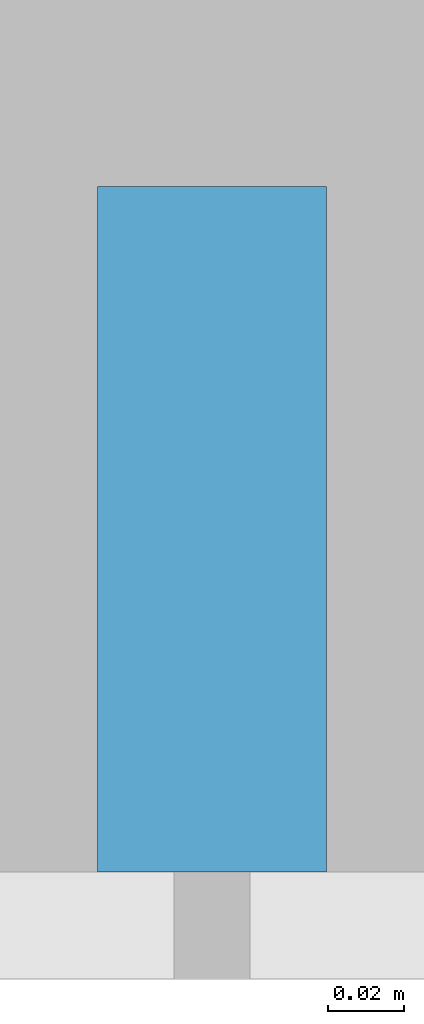
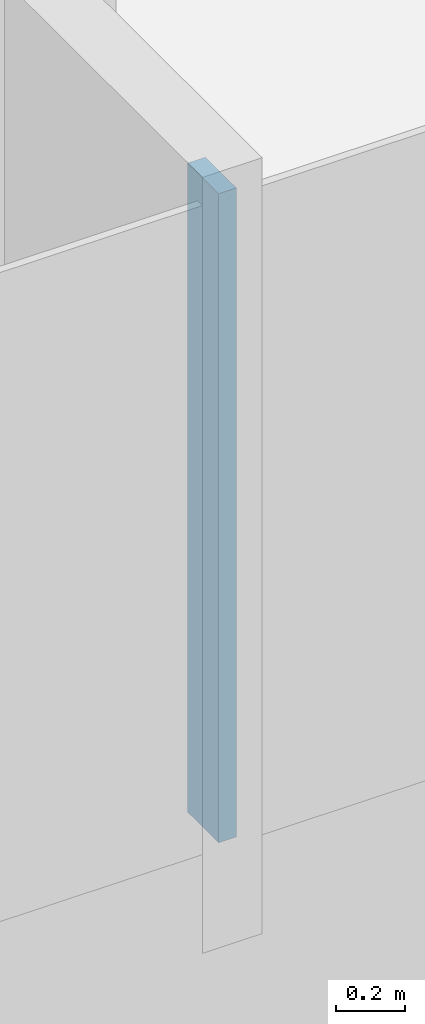
# One storey, part 5 of 26: 1 member, 1 element without a shape of its own.
"""IFC4 building model written with IfcOpenShell, lengths in metres."""

from ifc_helpers import new_model, si_unit, direction, frame, origin, origin_2d, place, context, subcontext, project, spatial, rectangle, extrude, material, layer, layer_set, material_profile, profile_set, type_object, element, aggregate, save


model = new_model("IFC4")

# Units and contexts
model_context = context("Model", 3, precision=1e-05, world=origin(), true_north=direction((0.0, 1.0)))
body_context = subcontext(model_context, "Body", "Model", "MODEL_VIEW")
ifc_project = project(units=[si_unit("LENGTHUNIT", "METRE"), si_unit("AREAUNIT", "SQUARE_METRE"), si_unit("VOLUMEUNIT", "CUBIC_METRE"), si_unit("PLANEANGLEUNIT", "RADIAN"), si_unit("MASSUNIT", "GRAM", prefix="KILO")], contexts=[model_context])

# Site, building, storey
site_placement = place(None, origin())
site = spatial("IfcSite", under=ifc_project, at=site_placement, CompositionType="ELEMENT")
building_placement = place(site_placement, origin())
building = spatial("IfcBuilding", under=site, at=building_placement, Name="Hakoniwa Tower and Hamabe Station Hall", CompositionType="ELEMENT")
storey_placement = place(building_placement, frame((0.0, 0.0, 215.39990234375)))
storey = spatial("IfcBuildingStorey", under=building, at=storey_placement, Name="L61", CompositionType="ELEMENT", Elevation=215.39990234375)

# Curtain wall, member
ifc_material_1 = material(Name="Dark low-e laminated glass", Category="glass")
ifc_layer = layer(ifc_material_1, 0.199951171875)
ifc_layer_set = layer_set([ifc_layer], Name="CW-1 UNITISED GUEST")
curtain_wall_type = type_object("IfcCurtainWallType", Name="CW-1 UNITISED GUEST", PredefinedType="NOTDEFINED", material=ifc_layer_set)
curtain_wall_placement = place(storey_placement, origin())
curtain_wall = element("IfcCurtainWall", 1, at=curtain_wall_placement, inside=storey, type_object=curtain_wall_type, Name="CW-1 curtain wall", PredefinedType="NOTDEFINED")
ifc_material_2 = material(Name="Aluminium 6063-T5 black anodised", Category="aluminium")
ifc_material_profile = material_profile(ifc_material_2, rectangle(XDim=0.06005859375, YDim=0.179931640625, at=origin_2d()), Name="CW-1 MULLION 60X180")
ifc_profile_set = profile_set([ifc_material_profile], Name="Aluminium 6063-T5 black anodised")
member_type = type_object("IfcMemberType", Name="CW-1 MULLION 60X180", PredefinedType="MULLION", material=ifc_profile_set)
member_placement = place(storey_placement, frame((16.800048828125, -15.431884765625, 0.35009765625), z_axis=(0.0, 0.0, 1.0), x_axis=(1.0, 0.0, 0.0)))
member = element("IfcMember", 2, at=member_placement, type_object=member_type, Name="CW-1 mullion", PredefinedType="MULLION", context=body_context, shape_type="SweptSolid", body=[
    extrude(rectangle(XDim=0.06005859375, YDim=0.179931640625, at=origin_2d()), origin(), (0.0, 0.0, 1.0), 2.300048828125),
])
aggregate(curtain_wall, [member])

save(model, "model.ifc")
